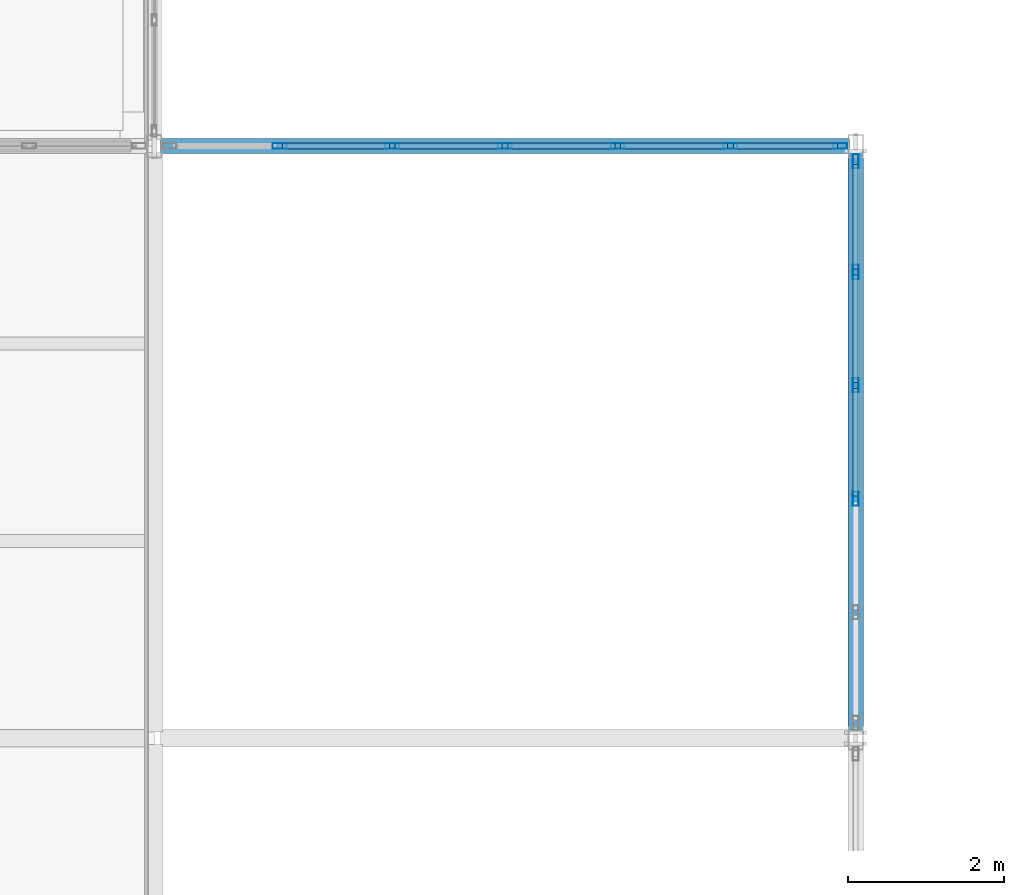
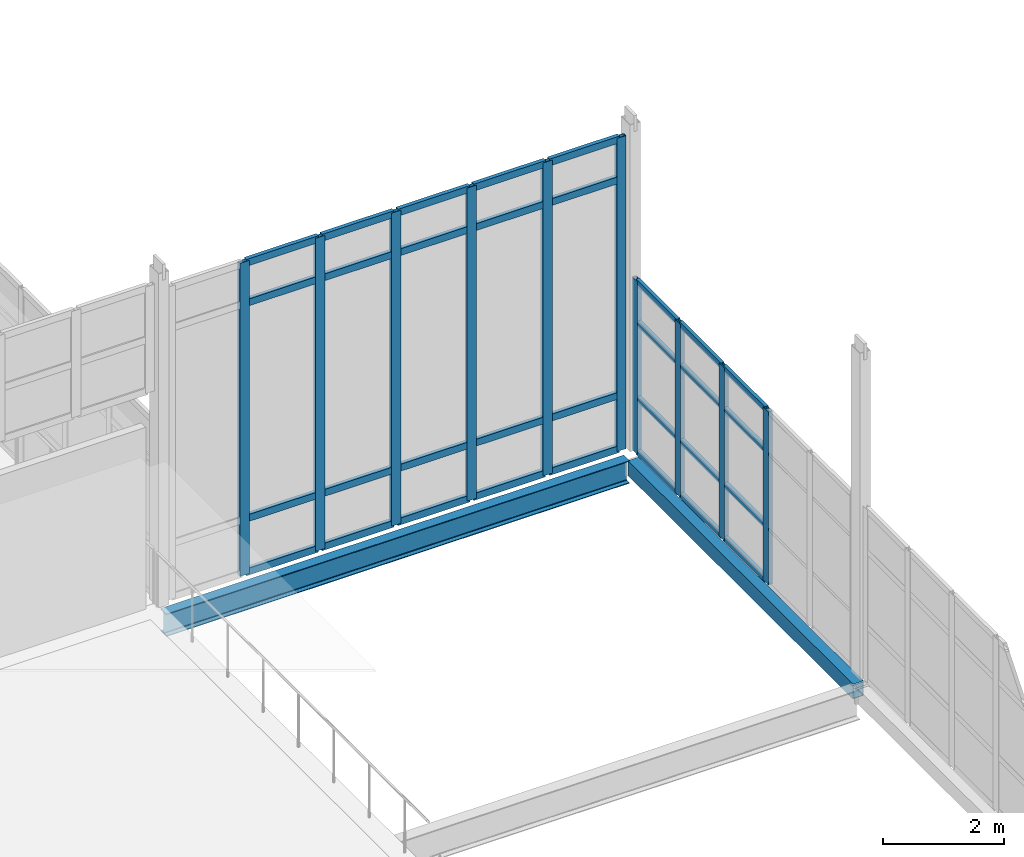
# One storey, part 68 of 166: 42 members, 2 beams, 2 elements without a shape of their own.
"""IFC4 building model written with IfcOpenShell, lengths in metres."""

from ifc_helpers import new_model, si_unit, direction, frame, origin, origin_2d, place, context, subcontext, project, spatial, hollow_rectangle, i_section, extrude, material, material_profile, profile_set, type_object, element, aggregate, save


model = new_model("IFC4")

# Units and contexts
model_context = context("Model", 3, precision=1e-05, world=origin(), true_north=direction((0.0, 1.0)))
body_context = subcontext(model_context, "Body", "Model", "MODEL_VIEW")
ifc_project = project(units=[si_unit("LENGTHUNIT", "METRE"), si_unit("AREAUNIT", "SQUARE_METRE"), si_unit("VOLUMEUNIT", "CUBIC_METRE"), si_unit("PLANEANGLEUNIT", "RADIAN"), si_unit("MASSUNIT", "GRAM", prefix="KILO")], contexts=[model_context])

# Site, building, storey
site_placement = place(None, origin())
site = spatial("IfcSite", under=ifc_project, at=site_placement, CompositionType="ELEMENT")
building_placement = place(site_placement, origin())
building = spatial("IfcBuilding", under=site, at=building_placement, Name="Caisbarro Railhouse Central Library", CompositionType="ELEMENT")
storey_placement = place(building_placement, frame((0.0, 0.0, 9.360107421875)))
storey = spatial("IfcBuildingStorey", under=building, at=storey_placement, Name="L02", CompositionType="ELEMENT", Elevation=9.360107421875)

# Beams
ifc_material_1 = material(Name="Steel ASTM A572 Grade 50", Category="steel")
ifc_material_profile_1 = material_profile(ifc_material_1, i_section(OverallWidth=0.18994140625, OverallDepth=0.45703125, WebThickness=0.009033203125, FlangeThickness=0.014404296875, FilletRadius=0.01806640625, at=origin_2d()), Name="W460X74.0")
ifc_profile_set_1 = profile_set([ifc_material_profile_1], Name="Steel ASTM A572 Grade 50")
beam_type_1 = type_object("IfcBeamType", Name="BM-SP01", PredefinedType="SPANDREL", material=ifc_profile_set_1)
beam_1_placement = place(storey_placement, frame((63.080078125, 60.800048828125, -0.448486328125), z_axis=(1.0, 0.0, 0.0), x_axis=(0.0, 1.0, 0.0)))
element("IfcBeam", 1, at=beam_1_placement, inside=storey, type_object=beam_type_1, Name="SP01 beam L02 #1387", PredefinedType="SPANDREL", context=body_context, shape_type="SweptSolid", body=[
    extrude(i_section(OverallWidth=0.18994140625, OverallDepth=0.45703125, WebThickness=0.009033203125, FlangeThickness=0.014404296875, FilletRadius=0.01806640625, at=origin_2d()), origin(), (0.0, 0.0, 1.0), 8.83984375),
])
ifc_material_profile_2 = material_profile(ifc_material_1, hollow_rectangle(XDim=0.199951171875, YDim=0.300048828125, WallThickness=0.012451171875, at=origin_2d()), Name="HSS300X200X12.5")
ifc_profile_set_2 = profile_set([ifc_material_profile_2], Name="Steel ASTM A572 Grade 50")
beam_type_2 = type_object("IfcBeamType", Name="BM-SP02", PredefinedType="SPANDREL", material=ifc_profile_set_2)
beam_2_placement = place(storey_placement, frame((72.0, 53.280029296875, -0.3701171875), z_axis=(0.0, 1.0, 0.0), x_axis=(-1.0, 0.0, 0.0)))
element("IfcBeam", 2, at=beam_2_placement, inside=storey, type_object=beam_type_2, Name="SP02 beam L02 #1419", PredefinedType="SPANDREL", context=body_context, shape_type="SweptSolid", body=[
    extrude(hollow_rectangle(XDim=0.199951171875, YDim=0.300048828125, WallThickness=0.012451171875, at=origin_2d()), origin(), (0.0, 0.0, 1.0), 7.43994140625),
])

# Curtain wall, members
ifc_material_2 = material(Name="Anodised architectural aluminium", Category="aluminium")
curtain_wall_type_1 = type_object("IfcCurtainWallType", Name="CW-CW04", PredefinedType="NOTDEFINED", material=ifc_material_2)
curtain_wall_1_placement = place(storey_placement, origin())
curtain_wall_1 = element("IfcCurtainWall", 3, at=curtain_wall_1_placement, inside=storey, type_object=curtain_wall_type_1, Name="CW04 curtain wall L02 #20", PredefinedType="NOTDEFINED")
ifc_material_profile_3 = material_profile(ifc_material_2, hollow_rectangle(XDim=0.074951171875, YDim=0.179931640625, WallThickness=0.00439453125, at=origin_2d()), Name="ALU-MUL-75X180")
ifc_profile_set_3 = profile_set([ifc_material_profile_3], Name="Anodised architectural aluminium")
member_type_1 = type_object("IfcMemberType", Name="CWM-M01", PredefinedType="MULLION", material=ifc_profile_set_3)
member_1_placement = place(storey_placement, frame((64.606689453125, 60.800048828125, 0.0), z_axis=(0.0, 0.0, 1.0), x_axis=(0.0, 1.0, 0.0)))
member_1 = element("IfcMember", 4, at=member_1_placement, type_object=member_type_1, Name="CW04 mullion 2", PredefinedType="MULLION", context=body_context, shape_type="SweptSolid", body=[
    extrude(hollow_rectangle(XDim=0.074951171875, YDim=0.179931640625, WallThickness=0.00439453125, at=origin_2d()), origin(), (0.0, 0.0, 1.0), 6.31982421875),
])
member_2_placement = place(storey_placement, frame((66.05322265625, 60.800048828125, 0.0), z_axis=(0.0, 0.0, 1.0), x_axis=(0.0, 1.0, 0.0)))
member_2 = element("IfcMember", 5, at=member_2_placement, type_object=member_type_1, Name="CW04 mullion 3", PredefinedType="MULLION", context=body_context, shape_type="SweptSolid", body=[
    extrude(hollow_rectangle(XDim=0.074951171875, YDim=0.179931640625, WallThickness=0.00439453125, at=origin_2d()), origin(), (0.0, 0.0, 1.0), 6.31982421875),
])
member_3_placement = place(storey_placement, frame((67.5, 60.800048828125, 0.0), z_axis=(0.0, 0.0, 1.0), x_axis=(0.0, 1.0, 0.0)))
member_3 = element("IfcMember", 6, at=member_3_placement, type_object=member_type_1, Name="CW04 mullion 4", PredefinedType="MULLION", context=body_context, shape_type="SweptSolid", body=[
    extrude(hollow_rectangle(XDim=0.074951171875, YDim=0.179931640625, WallThickness=0.00439453125, at=origin_2d()), origin(), (0.0, 0.0, 1.0), 6.31982421875),
])
member_4_placement = place(storey_placement, frame((68.94677734375, 60.800048828125, 0.0), z_axis=(0.0, 0.0, 1.0), x_axis=(0.0, 1.0, 0.0)))
member_4 = element("IfcMember", 7, at=member_4_placement, type_object=member_type_1, Name="CW04 mullion 5", PredefinedType="MULLION", context=body_context, shape_type="SweptSolid", body=[
    extrude(hollow_rectangle(XDim=0.074951171875, YDim=0.179931640625, WallThickness=0.00439453125, at=origin_2d()), origin(), (0.0, 0.0, 1.0), 6.31982421875),
])
member_5_placement = place(storey_placement, frame((70.393310546875, 60.800048828125, 0.0), z_axis=(0.0, 0.0, 1.0), x_axis=(0.0, 1.0, 0.0)))
member_5 = element("IfcMember", 8, at=member_5_placement, type_object=member_type_1, Name="CW04 mullion 6", PredefinedType="MULLION", context=body_context, shape_type="SweptSolid", body=[
    extrude(hollow_rectangle(XDim=0.074951171875, YDim=0.179931640625, WallThickness=0.00439453125, at=origin_2d()), origin(), (0.0, 0.0, 1.0), 6.31982421875),
])
member_6_placement = place(storey_placement, frame((71.802490234375, 60.800048828125, 0.0), z_axis=(0.0, 0.0, 1.0), x_axis=(0.0, 1.0, 0.0)))
member_6 = element("IfcMember", 9, at=member_6_placement, type_object=member_type_1, Name="CW04 mullion 7", PredefinedType="MULLION", context=body_context, shape_type="SweptSolid", body=[
    extrude(hollow_rectangle(XDim=0.074951171875, YDim=0.179931640625, WallThickness=0.00439453125, at=origin_2d()), origin(), (0.0, 0.0, 1.0), 6.31982421875),
])

curtain_wall_type_2 = type_object("IfcCurtainWallType", Name="CW-CW02", PredefinedType="NOTDEFINED", material=ifc_material_2)
curtain_wall_2_placement = place(storey_placement, origin())
curtain_wall_2 = element("IfcCurtainWall", 10, at=curtain_wall_2_placement, inside=storey, type_object=curtain_wall_type_2, Name="CW02 curtain wall L02 #43", PredefinedType="NOTDEFINED")
member_7_placement = place(storey_placement, frame((72.0, 56.27197265625, 0.0), z_axis=(0.0, 0.0, 1.0), x_axis=(-1.0, 0.0, 0.0)))
member_7 = element("IfcMember", 11, at=member_7_placement, type_object=member_type_1, Name="CW02 mullion 3", PredefinedType="MULLION", context=body_context, shape_type="SweptSolid", body=[
    extrude(hollow_rectangle(XDim=0.074951171875, YDim=0.179931640625, WallThickness=0.00439453125, at=origin_2d()), origin(), (0.0, 0.0, 1.0), 3.489990234375),
])
member_8_placement = place(storey_placement, frame((72.0, 57.72802734375, 0.0), z_axis=(0.0, 0.0, 1.0), x_axis=(-1.0, 0.0, 0.0)))
member_8 = element("IfcMember", 12, at=member_8_placement, type_object=member_type_1, Name="CW02 mullion 4", PredefinedType="MULLION", context=body_context, shape_type="SweptSolid", body=[
    extrude(hollow_rectangle(XDim=0.074951171875, YDim=0.179931640625, WallThickness=0.00439453125, at=origin_2d()), origin(), (0.0, 0.0, 1.0), 3.489990234375),
])
member_9_placement = place(storey_placement, frame((72.0, 59.18408203125, 0.0), z_axis=(0.0, 0.0, 1.0), x_axis=(-1.0, 0.0, 0.0)))
member_9 = element("IfcMember", 13, at=member_9_placement, type_object=member_type_1, Name="CW02 mullion 5", PredefinedType="MULLION", context=body_context, shape_type="SweptSolid", body=[
    extrude(hollow_rectangle(XDim=0.074951171875, YDim=0.179931640625, WallThickness=0.00439453125, at=origin_2d()), origin(), (0.0, 0.0, 1.0), 3.489990234375),
])
member_10_placement = place(storey_placement, frame((72.0, 60.6025390625, 0.0), z_axis=(0.0, 0.0, 1.0), x_axis=(-1.0, 0.0, 0.0)))
member_10 = element("IfcMember", 14, at=member_10_placement, type_object=member_type_1, Name="CW02 mullion 6", PredefinedType="MULLION", context=body_context, shape_type="SweptSolid", body=[
    extrude(hollow_rectangle(XDim=0.074951171875, YDim=0.179931640625, WallThickness=0.00439453125, at=origin_2d()), origin(), (0.0, 0.0, 1.0), 3.489990234375),
])

# Member
ifc_material_profile_4 = material_profile(ifc_material_2, hollow_rectangle(XDim=0.074951171875, YDim=0.139892578125, WallThickness=0.00390625, at=origin_2d()), Name="ALU-TRN-75X140")
ifc_profile_set_4 = profile_set([ifc_material_profile_4], Name="Anodised architectural aluminium")
member_type_2 = type_object("IfcMemberType", Name="CWT-T01", PredefinedType="USERDEFINED", material=ifc_profile_set_4)
member_11_placement = place(storey_placement, frame((64.644287109375, 60.800048828125, 0.037353515625), z_axis=(1.0, 0.0, 0.0), x_axis=(0.0, 1.0, 0.0)))
member_11 = element("IfcMember", 15, at=member_11_placement, type_object=member_type_2, Name="CW04 transom 2.1", ObjectType="TRANSOM", PredefinedType="USERDEFINED", context=body_context, shape_type="SweptSolid", body=[
    extrude(hollow_rectangle(XDim=0.074951171875, YDim=0.139892578125, WallThickness=0.00390625, at=origin_2d()), origin(), (0.0, 0.0, 1.0), 1.37158203125),
])

member_12_placement = place(storey_placement, frame((64.644287109375, 60.800048828125, 1.119873046875), z_axis=(1.0, 0.0, 0.0), x_axis=(0.0, 1.0, 0.0)))
member_12 = element("IfcMember", 16, at=member_12_placement, type_object=member_type_2, Name="CW04 transom 2.2", ObjectType="TRANSOM", PredefinedType="USERDEFINED", context=body_context, shape_type="SweptSolid", body=[
    extrude(hollow_rectangle(XDim=0.074951171875, YDim=0.139892578125, WallThickness=0.00390625, at=origin_2d()), origin(), (0.0, 0.0, 1.0), 1.37158203125),
])

member_13_placement = place(storey_placement, frame((64.644287109375, 60.800048828125, 5.469970703125), z_axis=(1.0, 0.0, 0.0), x_axis=(0.0, 1.0, 0.0)))
member_13 = element("IfcMember", 17, at=member_13_placement, type_object=member_type_2, Name="CW04 transom 2.3", ObjectType="TRANSOM", PredefinedType="USERDEFINED", context=body_context, shape_type="SweptSolid", body=[
    extrude(hollow_rectangle(XDim=0.074951171875, YDim=0.139892578125, WallThickness=0.00390625, at=origin_2d()), origin(), (0.0, 0.0, 1.0), 1.37158203125),
])

member_14_placement = place(storey_placement, frame((64.644287109375, 60.800048828125, 6.282470703125), z_axis=(1.0, 0.0, 0.0), x_axis=(0.0, 1.0, 0.0)))
member_14 = element("IfcMember", 18, at=member_14_placement, type_object=member_type_2, Name="CW04 transom 2.4", ObjectType="TRANSOM", PredefinedType="USERDEFINED", context=body_context, shape_type="SweptSolid", body=[
    extrude(hollow_rectangle(XDim=0.074951171875, YDim=0.139892578125, WallThickness=0.00390625, at=origin_2d()), origin(), (0.0, 0.0, 1.0), 1.37158203125),
])

member_15_placement = place(storey_placement, frame((66.0908203125, 60.800048828125, 0.037353515625), z_axis=(1.0, 0.0, 0.0), x_axis=(0.0, 1.0, 0.0)))
member_15 = element("IfcMember", 19, at=member_15_placement, type_object=member_type_2, Name="CW04 transom 3.1", ObjectType="TRANSOM", PredefinedType="USERDEFINED", context=body_context, shape_type="SweptSolid", body=[
    extrude(hollow_rectangle(XDim=0.074951171875, YDim=0.139892578125, WallThickness=0.00390625, at=origin_2d()), origin(), (0.0, 0.0, 1.0), 1.37158203125),
])

member_16_placement = place(storey_placement, frame((66.0908203125, 60.800048828125, 1.119873046875), z_axis=(1.0, 0.0, 0.0), x_axis=(0.0, 1.0, 0.0)))
member_16 = element("IfcMember", 20, at=member_16_placement, type_object=member_type_2, Name="CW04 transom 3.2", ObjectType="TRANSOM", PredefinedType="USERDEFINED", context=body_context, shape_type="SweptSolid", body=[
    extrude(hollow_rectangle(XDim=0.074951171875, YDim=0.139892578125, WallThickness=0.00390625, at=origin_2d()), origin(), (0.0, 0.0, 1.0), 1.37158203125),
])

member_17_placement = place(storey_placement, frame((66.0908203125, 60.800048828125, 5.469970703125), z_axis=(1.0, 0.0, 0.0), x_axis=(0.0, 1.0, 0.0)))
member_17 = element("IfcMember", 21, at=member_17_placement, type_object=member_type_2, Name="CW04 transom 3.3", ObjectType="TRANSOM", PredefinedType="USERDEFINED", context=body_context, shape_type="SweptSolid", body=[
    extrude(hollow_rectangle(XDim=0.074951171875, YDim=0.139892578125, WallThickness=0.00390625, at=origin_2d()), origin(), (0.0, 0.0, 1.0), 1.37158203125),
])

member_18_placement = place(storey_placement, frame((66.0908203125, 60.800048828125, 6.282470703125), z_axis=(1.0, 0.0, 0.0), x_axis=(0.0, 1.0, 0.0)))
member_18 = element("IfcMember", 22, at=member_18_placement, type_object=member_type_2, Name="CW04 transom 3.4", ObjectType="TRANSOM", PredefinedType="USERDEFINED", context=body_context, shape_type="SweptSolid", body=[
    extrude(hollow_rectangle(XDim=0.074951171875, YDim=0.139892578125, WallThickness=0.00390625, at=origin_2d()), origin(), (0.0, 0.0, 1.0), 1.37158203125),
])

member_19_placement = place(storey_placement, frame((67.53759765625, 60.800048828125, 0.037353515625), z_axis=(1.0, 0.0, 0.0), x_axis=(0.0, 1.0, 0.0)))
member_19 = element("IfcMember", 23, at=member_19_placement, type_object=member_type_2, Name="CW04 transom 4.1", ObjectType="TRANSOM", PredefinedType="USERDEFINED", context=body_context, shape_type="SweptSolid", body=[
    extrude(hollow_rectangle(XDim=0.074951171875, YDim=0.139892578125, WallThickness=0.00390625, at=origin_2d()), origin(), (0.0, 0.0, 1.0), 1.37158203125),
])

member_20_placement = place(storey_placement, frame((67.53759765625, 60.800048828125, 1.119873046875), z_axis=(1.0, 0.0, 0.0), x_axis=(0.0, 1.0, 0.0)))
member_20 = element("IfcMember", 24, at=member_20_placement, type_object=member_type_2, Name="CW04 transom 4.2", ObjectType="TRANSOM", PredefinedType="USERDEFINED", context=body_context, shape_type="SweptSolid", body=[
    extrude(hollow_rectangle(XDim=0.074951171875, YDim=0.139892578125, WallThickness=0.00390625, at=origin_2d()), origin(), (0.0, 0.0, 1.0), 1.37158203125),
])

member_21_placement = place(storey_placement, frame((67.53759765625, 60.800048828125, 5.469970703125), z_axis=(1.0, 0.0, 0.0), x_axis=(0.0, 1.0, 0.0)))
member_21 = element("IfcMember", 25, at=member_21_placement, type_object=member_type_2, Name="CW04 transom 4.3", ObjectType="TRANSOM", PredefinedType="USERDEFINED", context=body_context, shape_type="SweptSolid", body=[
    extrude(hollow_rectangle(XDim=0.074951171875, YDim=0.139892578125, WallThickness=0.00390625, at=origin_2d()), origin(), (0.0, 0.0, 1.0), 1.37158203125),
])

member_22_placement = place(storey_placement, frame((67.53759765625, 60.800048828125, 6.282470703125), z_axis=(1.0, 0.0, 0.0), x_axis=(0.0, 1.0, 0.0)))
member_22 = element("IfcMember", 26, at=member_22_placement, type_object=member_type_2, Name="CW04 transom 4.4", ObjectType="TRANSOM", PredefinedType="USERDEFINED", context=body_context, shape_type="SweptSolid", body=[
    extrude(hollow_rectangle(XDim=0.074951171875, YDim=0.139892578125, WallThickness=0.00390625, at=origin_2d()), origin(), (0.0, 0.0, 1.0), 1.37158203125),
])

member_23_placement = place(storey_placement, frame((68.984130859375, 60.800048828125, 0.037353515625), z_axis=(1.0, 0.0, 0.0), x_axis=(0.0, 1.0, 0.0)))
member_23 = element("IfcMember", 27, at=member_23_placement, type_object=member_type_2, Name="CW04 transom 5.1", ObjectType="TRANSOM", PredefinedType="USERDEFINED", context=body_context, shape_type="SweptSolid", body=[
    extrude(hollow_rectangle(XDim=0.074951171875, YDim=0.139892578125, WallThickness=0.00390625, at=origin_2d()), origin(), (0.0, 0.0, 1.0), 1.37158203125),
])

member_24_placement = place(storey_placement, frame((68.984130859375, 60.800048828125, 1.119873046875), z_axis=(1.0, 0.0, 0.0), x_axis=(0.0, 1.0, 0.0)))
member_24 = element("IfcMember", 28, at=member_24_placement, type_object=member_type_2, Name="CW04 transom 5.2", ObjectType="TRANSOM", PredefinedType="USERDEFINED", context=body_context, shape_type="SweptSolid", body=[
    extrude(hollow_rectangle(XDim=0.074951171875, YDim=0.139892578125, WallThickness=0.00390625, at=origin_2d()), origin(), (0.0, 0.0, 1.0), 1.37158203125),
])

member_25_placement = place(storey_placement, frame((68.984130859375, 60.800048828125, 5.469970703125), z_axis=(1.0, 0.0, 0.0), x_axis=(0.0, 1.0, 0.0)))
member_25 = element("IfcMember", 29, at=member_25_placement, type_object=member_type_2, Name="CW04 transom 5.3", ObjectType="TRANSOM", PredefinedType="USERDEFINED", context=body_context, shape_type="SweptSolid", body=[
    extrude(hollow_rectangle(XDim=0.074951171875, YDim=0.139892578125, WallThickness=0.00390625, at=origin_2d()), origin(), (0.0, 0.0, 1.0), 1.37158203125),
])

member_26_placement = place(storey_placement, frame((68.984130859375, 60.800048828125, 6.282470703125), z_axis=(1.0, 0.0, 0.0), x_axis=(0.0, 1.0, 0.0)))
member_26 = element("IfcMember", 30, at=member_26_placement, type_object=member_type_2, Name="CW04 transom 5.4", ObjectType="TRANSOM", PredefinedType="USERDEFINED", context=body_context, shape_type="SweptSolid", body=[
    extrude(hollow_rectangle(XDim=0.074951171875, YDim=0.139892578125, WallThickness=0.00390625, at=origin_2d()), origin(), (0.0, 0.0, 1.0), 1.37158203125),
])

member_27_placement = place(storey_placement, frame((70.430908203125, 60.800048828125, 0.037353515625), z_axis=(1.0, 0.0, 0.0), x_axis=(0.0, 1.0, 0.0)))
member_27 = element("IfcMember", 31, at=member_27_placement, type_object=member_type_2, Name="CW04 transom 6.1", ObjectType="TRANSOM", PredefinedType="USERDEFINED", context=body_context, shape_type="SweptSolid", body=[
    extrude(hollow_rectangle(XDim=0.074951171875, YDim=0.139892578125, WallThickness=0.00390625, at=origin_2d()), origin(), (0.0, 0.0, 1.0), 1.333984375),
])

member_28_placement = place(storey_placement, frame((70.430908203125, 60.800048828125, 1.119873046875), z_axis=(1.0, 0.0, 0.0), x_axis=(0.0, 1.0, 0.0)))
member_28 = element("IfcMember", 32, at=member_28_placement, type_object=member_type_2, Name="CW04 transom 6.2", ObjectType="TRANSOM", PredefinedType="USERDEFINED", context=body_context, shape_type="SweptSolid", body=[
    extrude(hollow_rectangle(XDim=0.074951171875, YDim=0.139892578125, WallThickness=0.00390625, at=origin_2d()), origin(), (0.0, 0.0, 1.0), 1.333984375),
])

member_29_placement = place(storey_placement, frame((70.430908203125, 60.800048828125, 5.469970703125), z_axis=(1.0, 0.0, 0.0), x_axis=(0.0, 1.0, 0.0)))
member_29 = element("IfcMember", 33, at=member_29_placement, type_object=member_type_2, Name="CW04 transom 6.3", ObjectType="TRANSOM", PredefinedType="USERDEFINED", context=body_context, shape_type="SweptSolid", body=[
    extrude(hollow_rectangle(XDim=0.074951171875, YDim=0.139892578125, WallThickness=0.00390625, at=origin_2d()), origin(), (0.0, 0.0, 1.0), 1.333984375),
])

member_30_placement = place(storey_placement, frame((70.430908203125, 60.800048828125, 6.282470703125), z_axis=(1.0, 0.0, 0.0), x_axis=(0.0, 1.0, 0.0)))
member_30 = element("IfcMember", 34, at=member_30_placement, type_object=member_type_2, Name="CW04 transom 6.4", ObjectType="TRANSOM", PredefinedType="USERDEFINED", context=body_context, shape_type="SweptSolid", body=[
    extrude(hollow_rectangle(XDim=0.074951171875, YDim=0.139892578125, WallThickness=0.00390625, at=origin_2d()), origin(), (0.0, 0.0, 1.0), 1.333984375),
])

aggregate(curtain_wall_1, [member_1, member_2, member_3, member_4, member_5, member_6, member_11, member_12, member_13, member_14, member_15, member_16, member_17, member_18, member_19, member_20, member_21, member_22, member_23, member_24, member_25, member_26, member_27, member_28, member_29, member_30])

ifc_material_profile_5 = material_profile(ifc_material_2, hollow_rectangle(XDim=0.06494140625, YDim=0.1201171875, WallThickness=0.00341796875, at=origin_2d()), Name="ALU-TRN-65X120")
ifc_profile_set_5 = profile_set([ifc_material_profile_5], Name="Anodised architectural aluminium")
member_type_3 = type_object("IfcMemberType", Name="CWT-T02", PredefinedType="USERDEFINED", material=ifc_profile_set_5)
member_31_placement = place(storey_placement, frame((72.0, 56.3095703125, 0.032470703125), z_axis=(0.0, 1.0, 0.0), x_axis=(-1.0, 0.0, 0.0)))
member_31 = element("IfcMember", 35, at=member_31_placement, type_object=member_type_3, Name="CW02 transom 3.1", ObjectType="TRANSOM", PredefinedType="USERDEFINED", context=body_context, shape_type="SweptSolid", body=[
    extrude(hollow_rectangle(XDim=0.06494140625, YDim=0.1201171875, WallThickness=0.00341796875, at=origin_2d()), origin(), (0.0, 0.0, 1.0), 1.380859375),
])

member_32_placement = place(storey_placement, frame((72.0, 56.3095703125, 1.119873046875), z_axis=(0.0, 1.0, 0.0), x_axis=(-1.0, 0.0, 0.0)))
member_32 = element("IfcMember", 36, at=member_32_placement, type_object=member_type_3, Name="CW02 transom 3.2", ObjectType="TRANSOM", PredefinedType="USERDEFINED", context=body_context, shape_type="SweptSolid", body=[
    extrude(hollow_rectangle(XDim=0.06494140625, YDim=0.1201171875, WallThickness=0.00341796875, at=origin_2d()), origin(), (0.0, 0.0, 1.0), 1.380859375),
])

member_33_placement = place(storey_placement, frame((72.0, 56.3095703125, 2.639892578125), z_axis=(0.0, 1.0, 0.0), x_axis=(-1.0, 0.0, 0.0)))
member_33 = element("IfcMember", 37, at=member_33_placement, type_object=member_type_3, Name="CW02 transom 3.3", ObjectType="TRANSOM", PredefinedType="USERDEFINED", context=body_context, shape_type="SweptSolid", body=[
    extrude(hollow_rectangle(XDim=0.06494140625, YDim=0.1201171875, WallThickness=0.00341796875, at=origin_2d()), origin(), (0.0, 0.0, 1.0), 1.380859375),
])

member_34_placement = place(storey_placement, frame((72.0, 56.3095703125, 3.457275390625), z_axis=(0.0, 1.0, 0.0), x_axis=(-1.0, 0.0, 0.0)))
member_34 = element("IfcMember", 38, at=member_34_placement, type_object=member_type_3, Name="CW02 transom 3.4", ObjectType="TRANSOM", PredefinedType="USERDEFINED", context=body_context, shape_type="SweptSolid", body=[
    extrude(hollow_rectangle(XDim=0.06494140625, YDim=0.1201171875, WallThickness=0.00341796875, at=origin_2d()), origin(), (0.0, 0.0, 1.0), 1.380859375),
])

member_35_placement = place(storey_placement, frame((72.0, 57.765380859375, 0.032470703125), z_axis=(0.0, 1.0, 0.0), x_axis=(-1.0, 0.0, 0.0)))
member_35 = element("IfcMember", 39, at=member_35_placement, type_object=member_type_3, Name="CW02 transom 4.1", ObjectType="TRANSOM", PredefinedType="USERDEFINED", context=body_context, shape_type="SweptSolid", body=[
    extrude(hollow_rectangle(XDim=0.06494140625, YDim=0.1201171875, WallThickness=0.00341796875, at=origin_2d()), origin(), (0.0, 0.0, 1.0), 1.381103515625),
])

member_36_placement = place(storey_placement, frame((72.0, 57.765380859375, 1.119873046875), z_axis=(0.0, 1.0, 0.0), x_axis=(-1.0, 0.0, 0.0)))
member_36 = element("IfcMember", 40, at=member_36_placement, type_object=member_type_3, Name="CW02 transom 4.2", ObjectType="TRANSOM", PredefinedType="USERDEFINED", context=body_context, shape_type="SweptSolid", body=[
    extrude(hollow_rectangle(XDim=0.06494140625, YDim=0.1201171875, WallThickness=0.00341796875, at=origin_2d()), origin(), (0.0, 0.0, 1.0), 1.381103515625),
])

member_37_placement = place(storey_placement, frame((72.0, 57.765380859375, 2.639892578125), z_axis=(0.0, 1.0, 0.0), x_axis=(-1.0, 0.0, 0.0)))
member_37 = element("IfcMember", 41, at=member_37_placement, type_object=member_type_3, Name="CW02 transom 4.3", ObjectType="TRANSOM", PredefinedType="USERDEFINED", context=body_context, shape_type="SweptSolid", body=[
    extrude(hollow_rectangle(XDim=0.06494140625, YDim=0.1201171875, WallThickness=0.00341796875, at=origin_2d()), origin(), (0.0, 0.0, 1.0), 1.381103515625),
])

member_38_placement = place(storey_placement, frame((72.0, 57.765380859375, 3.457275390625), z_axis=(0.0, 1.0, 0.0), x_axis=(-1.0, 0.0, 0.0)))
member_38 = element("IfcMember", 42, at=member_38_placement, type_object=member_type_3, Name="CW02 transom 4.4", ObjectType="TRANSOM", PredefinedType="USERDEFINED", context=body_context, shape_type="SweptSolid", body=[
    extrude(hollow_rectangle(XDim=0.06494140625, YDim=0.1201171875, WallThickness=0.00341796875, at=origin_2d()), origin(), (0.0, 0.0, 1.0), 1.381103515625),
])

member_39_placement = place(storey_placement, frame((72.0, 59.221435546875, 0.032470703125), z_axis=(0.0, 1.0, 0.0), x_axis=(-1.0, 0.0, 0.0)))
member_39 = element("IfcMember", 43, at=member_39_placement, type_object=member_type_3, Name="CW02 transom 5.1", ObjectType="TRANSOM", PredefinedType="USERDEFINED", context=body_context, shape_type="SweptSolid", body=[
    extrude(hollow_rectangle(XDim=0.06494140625, YDim=0.1201171875, WallThickness=0.00341796875, at=origin_2d()), origin(), (0.0, 0.0, 1.0), 1.343505859375),
])

member_40_placement = place(storey_placement, frame((72.0, 59.221435546875, 1.119873046875), z_axis=(0.0, 1.0, 0.0), x_axis=(-1.0, 0.0, 0.0)))
member_40 = element("IfcMember", 44, at=member_40_placement, type_object=member_type_3, Name="CW02 transom 5.2", ObjectType="TRANSOM", PredefinedType="USERDEFINED", context=body_context, shape_type="SweptSolid", body=[
    extrude(hollow_rectangle(XDim=0.06494140625, YDim=0.1201171875, WallThickness=0.00341796875, at=origin_2d()), origin(), (0.0, 0.0, 1.0), 1.343505859375),
])

member_41_placement = place(storey_placement, frame((72.0, 59.221435546875, 2.639892578125), z_axis=(0.0, 1.0, 0.0), x_axis=(-1.0, 0.0, 0.0)))
member_41 = element("IfcMember", 45, at=member_41_placement, type_object=member_type_3, Name="CW02 transom 5.3", ObjectType="TRANSOM", PredefinedType="USERDEFINED", context=body_context, shape_type="SweptSolid", body=[
    extrude(hollow_rectangle(XDim=0.06494140625, YDim=0.1201171875, WallThickness=0.00341796875, at=origin_2d()), origin(), (0.0, 0.0, 1.0), 1.343505859375),
])

member_42_placement = place(storey_placement, frame((72.0, 59.221435546875, 3.457275390625), z_axis=(0.0, 1.0, 0.0), x_axis=(-1.0, 0.0, 0.0)))
member_42 = element("IfcMember", 46, at=member_42_placement, type_object=member_type_3, Name="CW02 transom 5.4", ObjectType="TRANSOM", PredefinedType="USERDEFINED", context=body_context, shape_type="SweptSolid", body=[
    extrude(hollow_rectangle(XDim=0.06494140625, YDim=0.1201171875, WallThickness=0.00341796875, at=origin_2d()), origin(), (0.0, 0.0, 1.0), 1.343505859375),
])

aggregate(curtain_wall_2, [member_7, member_8, member_9, member_10, member_31, member_32, member_33, member_34, member_35, member_36, member_37, member_38, member_39, member_40, member_41, member_42])

save(model, "model.ifc")
